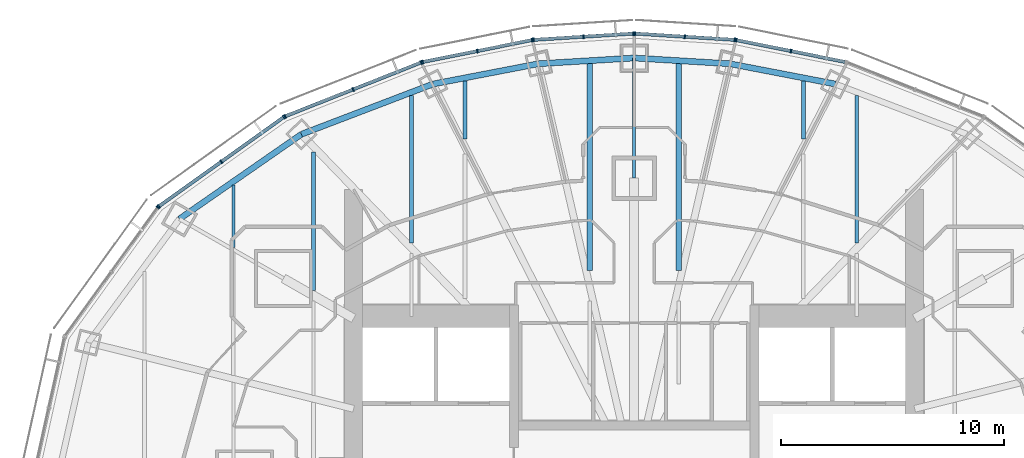
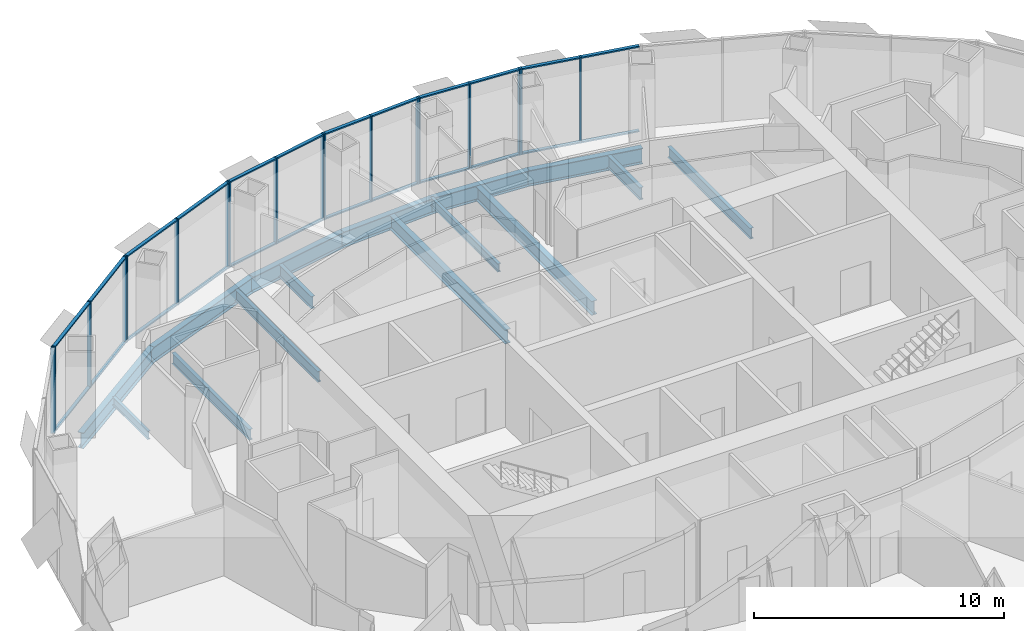
# One storey, part 8 of 18: 42 members, 15 beams, 7 elements without a shape of their own.
"""IFC4 building model written with IfcOpenShell, lengths in metres."""

from ifc_helpers import new_model, si_unit, direction, frame, origin, origin_2d, place, context, subcontext, project, spatial, rectangle, i_section, extrude, material, material_profile, profile_set, type_object, element, aggregate, save


model = new_model("IFC4")

# Units and contexts
model_context = context("Model", 3, precision=1e-05, world=origin(), true_north=direction((0.0, 1.0)))
body_context = subcontext(model_context, "Body", "Model", "MODEL_VIEW")
ifc_project = project(units=[si_unit("LENGTHUNIT", "METRE"), si_unit("AREAUNIT", "SQUARE_METRE"), si_unit("VOLUMEUNIT", "CUBIC_METRE"), si_unit("PLANEANGLEUNIT", "RADIAN"), si_unit("MASSUNIT", "GRAM", prefix="KILO")], contexts=[model_context])

# Site, building, storey
site_placement = place(None, origin())
site = spatial("IfcSite", under=ifc_project, at=site_placement, CompositionType="ELEMENT")
building_placement = place(site_placement, origin())
building = spatial("IfcBuilding", under=site, at=building_placement, Name="Lantaw Convention Tower", CompositionType="ELEMENT")
storey_placement = place(building_placement, frame((0.0, 0.0, 236.800048828125)))
storey = spatial("IfcBuildingStorey", under=building, at=storey_placement, Name="L55", CompositionType="ELEMENT", Elevation=236.800048828125)

# Beams
ifc_material_1 = material(Name="Steel ASTM A992", Category="steel")
ifc_material_profile_1 = material_profile(ifc_material_1, i_section(OverallWidth=0.2666015625, OverallDepth=0.76953125, WebThickness=0.015625, FlangeThickness=0.025390625, FilletRadius=0.0126953125, at=origin_2d()), Name="W30X132")
ifc_profile_set_1 = profile_set([ifc_material_profile_1], Name="Steel ASTM A992")
beam_type_1 = type_object("IfcBeamType", Name="Beam E W30X132", PredefinedType="SPANDREL", material=ifc_profile_set_1)
beam_1_placement = place(storey_placement, frame((9.03466796875, 17.7314453125, -0.534912109375), z_axis=(-0.981972091702, 0.189025953556, 0.0), x_axis=(-0.189025953556, -0.981972091702, 0.0)))
element("IfcBeam", 1, at=beam_1_placement, inside=storey, type_object=beam_type_1, Name="Edge beam 5", PredefinedType="SPANDREL", context=body_context, shape_type="SweptSolid", body=[
    extrude(i_section(OverallWidth=0.2666015625, OverallDepth=0.76953125, WebThickness=0.015625, FlangeThickness=0.025390625, FilletRadius=0.0126953125, at=origin_2d()), origin(), (0.0, 0.0, 1.0), 4.817626953125),
])
for number, where, z_axis, x_axis, name in (
    (2, (4.303955078125, 18.64208984375, -0.534912109375), (-0.998210730897, 0.059794119452, 0.0), (-0.059794119452, -0.998210730897, 0.0), "Edge beam 6"),
    (3, (0.0, 18.89990234375, -0.534912109375), (-0.998210730897, -0.059794119452, 0.0), (0.059794119452, -0.998210730897, 0.0), "Edge beam 7"),
):
    element("IfcBeam", number, at=place(storey_placement, frame(where, z_axis=z_axis, x_axis=x_axis)), inside=storey, type_object=beam_type_1, Name=name, PredefinedType="SPANDREL", context=body_context, shape_type="SweptSolid", body=[
        extrude(i_section(OverallWidth=0.2666015625, OverallDepth=0.76953125, WebThickness=0.015625, FlangeThickness=0.025390625, FilletRadius=0.0126953125, at=origin_2d()), origin(), (0.0, 0.0, 1.0), 4.311767578125),
    ])
beam_2_placement = place(storey_placement, frame((-4.303955078125, 18.64208984375, -0.534912109375), z_axis=(-0.981972091702, -0.189025953556, 0.0), x_axis=(0.189025953556, -0.981972091702, 0.0)))
element("IfcBeam", 4, at=beam_2_placement, inside=storey, type_object=beam_type_1, Name="Edge beam 8", PredefinedType="SPANDREL", context=body_context, shape_type="SweptSolid", body=[
    extrude(i_section(OverallWidth=0.2666015625, OverallDepth=0.76953125, WebThickness=0.015625, FlangeThickness=0.025390625, FilletRadius=0.0126953125, at=origin_2d()), origin(), (0.0, 0.0, 1.0), 4.817626953125),
])
beam_3_placement = place(storey_placement, frame((-9.03466796875, 17.7314453125, -0.534912109375), z_axis=(-0.934234988, -0.356658081637, 0.0), x_axis=(0.356658081637, -0.934234988, 0.0)))
element("IfcBeam", 5, at=beam_3_placement, inside=storey, type_object=beam_type_1, Name="Edge beam 9", PredefinedType="SPANDREL", context=body_context, shape_type="SweptSolid", body=[
    extrude(i_section(OverallWidth=0.2666015625, OverallDepth=0.76953125, WebThickness=0.015625, FlangeThickness=0.025390625, FilletRadius=0.0126953125, at=origin_2d()), origin(), (0.0, 0.0, 1.0), 6.32568359375),
])
beam_4_placement = place(storey_placement, frame((-14.9443359375, 15.475341796875, -0.534912109375), z_axis=(-0.82135329406, -0.570419815869, 0.0), x_axis=(0.570419815869, -0.82135329406, 0.0)))
element("IfcBeam", 6, at=beam_4_placement, inside=storey, type_object=beam_type_1, Name="Edge beam 10", PredefinedType="SPANDREL", context=body_context, shape_type="SweptSolid", body=[
    extrude(i_section(OverallWidth=0.2666015625, OverallDepth=0.76953125, WebThickness=0.015625, FlangeThickness=0.025390625, FilletRadius=0.0126953125, at=origin_2d()), origin(), (0.0, 0.0, 1.0), 6.67041015625),
])
ifc_material_profile_2 = material_profile(ifc_material_1, i_section(OverallWidth=0.140380859375, OverallDepth=0.40380859375, WebThickness=0.007080078125, FlangeThickness=0.01123046875, FilletRadius=0.01025390625, at=origin_2d()), Name="W16X31")
ifc_profile_set_2 = profile_set([ifc_material_profile_2], Name="Steel ASTM A992")
beam_type_2 = type_object("IfcBeamType", Name="Beam G W16X31", PredefinedType="BEAM", material=ifc_profile_set_2)
beam_5_placement = place(storey_placement, frame((0.0, 13.5, -0.35205078125), z_axis=(0.0, 1.0, 0.0), x_axis=(-1.0, 0.0, 0.0)))
element("IfcBeam", 7, at=beam_5_placement, inside=storey, type_object=beam_type_2, Name="Floor girder on ray 7", PredefinedType="BEAM", context=body_context, shape_type="SweptSolid", body=[
    extrude(i_section(OverallWidth=0.140380859375, OverallDepth=0.40380859375, WebThickness=0.007080078125, FlangeThickness=0.01123046875, FilletRadius=0.01025390625, at=origin_2d()), origin(), (0.0, 0.0, 1.0), 5.39990234375),
])
ifc_material_profile_3 = material_profile(ifc_material_1, i_section(OverallWidth=0.140380859375, OverallDepth=0.40380859375, WebThickness=0.007080078125, FlangeThickness=0.01123046875, FilletRadius=0.01025390625, at=origin_2d()), Name="W16X31")
ifc_profile_set_3 = profile_set([ifc_material_profile_3], Name="Steel ASTM A992")
beam_type_3 = type_object("IfcBeamType", Name="Beam J W16X31", PredefinedType="JOIST", material=ifc_profile_set_3)
beam_6_placement = place(storey_placement, frame((-18.0, 10.380859375, -0.35205078125), z_axis=(0.0, 1.0, 0.0), x_axis=(-1.0, 0.0, 0.0)))
element("IfcBeam", 8, at=beam_6_placement, inside=storey, type_object=beam_type_3, Name="Floor joist", PredefinedType="JOIST", context=body_context, shape_type="SweptSolid", body=[
    extrude(i_section(OverallWidth=0.140380859375, OverallDepth=0.40380859375, WebThickness=0.007080078125, FlangeThickness=0.01123046875, FilletRadius=0.01025390625, at=origin_2d()), origin(), (0.0, 0.0, 1.0), 2.81005859375),
])
ifc_material_profile_4 = material_profile(ifc_material_1, i_section(OverallWidth=0.1650390625, OverallDepth=0.52587890625, WebThickness=0.0087890625, FlangeThickness=0.011474609375, FilletRadius=0.0126953125, at=origin_2d()), Name="W21X44")
ifc_profile_set_4 = profile_set([ifc_material_profile_4], Name="Steel ASTM A992")
beam_type_4 = type_object("IfcBeamType", Name="Beam J W21X44", PredefinedType="JOIST", material=ifc_profile_set_4)
beam_7_placement = place(storey_placement, frame((-14.39990234375, 8.461181640625, -0.412841796875), z_axis=(0.0, 1.0, 0.0), x_axis=(-1.0, 0.0, 0.0)))
element("IfcBeam", 9, at=beam_7_placement, inside=storey, type_object=beam_type_4, Name="Floor joist", PredefinedType="JOIST", context=body_context, shape_type="SweptSolid", body=[
    extrude(i_section(OverallWidth=0.1650390625, OverallDepth=0.52587890625, WebThickness=0.0087890625, FlangeThickness=0.011474609375, FilletRadius=0.0126953125, at=origin_2d()), origin(), (0.0, 0.0, 1.0), 6.214599609375),
])
for number, where, z_axis, x_axis, name in (
    (10, (-10.0, 10.591064453125, -0.412841796875), (0.0, 1.0, 0.0), (-1.0, 0.0, 0.0), "Floor joist"),
    (11, (10.0, 10.591064453125, -0.412841796875), (0.0, 1.0, 0.0), (-1.0, 0.0, 0.0), "Floor joist"),
):
    element("IfcBeam", number, at=place(storey_placement, frame(where, z_axis=z_axis, x_axis=x_axis)), inside=storey, type_object=beam_type_4, Name=name, PredefinedType="JOIST", context=body_context, shape_type="SweptSolid", body=[
        extrude(i_section(OverallWidth=0.1650390625, OverallDepth=0.52587890625, WebThickness=0.0087890625, FlangeThickness=0.011474609375, FilletRadius=0.0126953125, at=origin_2d()), origin(), (0.0, 0.0, 1.0), 6.629150390625),
    ])
ifc_material_profile_5 = material_profile(ifc_material_1, i_section(OverallWidth=0.177978515625, OverallDepth=0.599365234375, WebThickness=0.010009765625, FlangeThickness=0.012939453125, FilletRadius=0.012939453125, at=origin_2d()), Name="W24X55")
ifc_profile_set_5 = profile_set([ifc_material_profile_5], Name="Steel ASTM A992")
beam_type_5 = type_object("IfcBeamType", Name="Beam J W24X55", PredefinedType="JOIST", material=ifc_profile_set_5)
for number, where, z_axis, x_axis, name in (
    (12, (-7.60009765625, 15.25439453125, -0.44970703125), (0.0, 1.0, 0.0), (-1.0, 0.0, 0.0), "Floor joist"),
    (13, (7.60009765625, 15.25439453125, -0.44970703125), (0.0, 1.0, 0.0), (-1.0, 0.0, 0.0), "Floor joist"),
):
    element("IfcBeam", number, at=place(storey_placement, frame(where, z_axis=z_axis, x_axis=x_axis)), inside=storey, type_object=beam_type_5, Name=name, PredefinedType="JOIST", context=body_context, shape_type="SweptSolid", body=[
        extrude(i_section(OverallWidth=0.177978515625, OverallDepth=0.599365234375, WebThickness=0.010009765625, FlangeThickness=0.012939453125, FilletRadius=0.012939453125, at=origin_2d()), origin(), (0.0, 0.0, 1.0), 2.617431640625),
    ])
ifc_material_profile_6 = material_profile(ifc_material_1, i_section(OverallWidth=0.25390625, OverallDepth=0.683349609375, WebThickness=0.012451171875, FlangeThickness=0.01904296875, FilletRadius=0.01513671875, at=origin_2d()), Name="W27X94")
ifc_profile_set_6 = profile_set([ifc_material_profile_6], Name="Steel ASTM A992")
beam_type_6 = type_object("IfcBeamType", Name="Beam J W27X94", PredefinedType="JOIST", material=ifc_profile_set_6)
for number, where, z_axis, x_axis, name in (
    (14, (-2.0, 9.34619140625, -0.49169921875), (0.0, 1.0, 0.0), (-1.0, 0.0, 0.0), "Floor joist"),
    (15, (2.0, 9.34619140625, -0.49169921875), (0.0, 1.0, 0.0), (-1.0, 0.0, 0.0), "Floor joist"),
):
    element("IfcBeam", number, at=place(storey_placement, frame(where, z_axis=z_axis, x_axis=x_axis)), inside=storey, type_object=beam_type_6, Name=name, PredefinedType="JOIST", context=body_context, shape_type="SweptSolid", body=[
        extrude(i_section(OverallWidth=0.25390625, OverallDepth=0.683349609375, WebThickness=0.012451171875, FlangeThickness=0.01904296875, FilletRadius=0.01513671875, at=origin_2d()), origin(), (0.0, 0.0, 1.0), 9.30029296875),
    ])

# Curtain wall, members
ifc_material_2 = material(Name="Aluminium framed curtain wall", Category="aluminium")
curtain_wall_type = type_object("IfcCurtainWallType", Name="Office curtain wall high rise, pale aluminium", PredefinedType="USERDEFINED", material=ifc_material_2)
curtain_wall_1_placement = place(storey_placement, origin())
curtain_wall_1 = element("IfcCurtainWall", 16, at=curtain_wall_1_placement, inside=storey, type_object=curtain_wall_type, Name="Office curtain wall high rise, pale aluminium L55", ObjectType="UNITISED CURTAIN WALL", PredefinedType="USERDEFINED")
ifc_material_3 = material(Name="Aluminium 6063-T6", Category="aluminium")
ifc_material_profile_7 = material_profile(ifc_material_3, rectangle(XDim=0.179931640625, YDim=0.06494140625, at=origin_2d()), Name="CW-O2 mullion 65x180")
ifc_profile_set_7 = profile_set([ifc_material_profile_7], Name="Aluminium 6063-T6")
member_type_1 = type_object("IfcMemberType", Name="CW-O2 mullion 65x180", PredefinedType="MULLION", material=ifc_profile_set_7)
member_1_placement = place(storey_placement, frame((7.042724609375, 19.212646484375, -0.150146484375), z_axis=(0.0, 0.0, 1.0), x_axis=(-0.197183095987, -0.980366679695, 0.0)))
member_1 = element("IfcMember", 17, at=member_1_placement, type_object=member_type_1, Name="CW-O2 mullion 2", PredefinedType="MULLION", context=body_context, shape_type="SweptSolid", body=[
    extrude(rectangle(XDim=0.179931640625, YDim=0.06494140625, at=origin_2d()), origin(), (0.0, 0.0, 1.0), 4.2001953125),
])
member_2_placement = place(storey_placement, frame((4.583251953125, 19.70751953125, -0.150146484375), z_axis=(0.0, 0.0, 1.0), x_axis=(-0.197183095987, -0.980366679695, 0.0)))
member_2 = element("IfcMember", 18, at=member_2_placement, type_object=member_type_1, Name="CW-O2 mullion 3", PredefinedType="MULLION", context=body_context, shape_type="SweptSolid", body=[
    extrude(rectangle(XDim=0.179931640625, YDim=0.06494140625, at=origin_2d()), origin(), (0.0, 0.0, 1.0), 4.2001953125),
])

curtain_wall_2_placement = place(storey_placement, origin())
curtain_wall_2 = element("IfcCurtainWall", 19, at=curtain_wall_2_placement, inside=storey, type_object=curtain_wall_type, Name="Office curtain wall high rise, pale aluminium L55", ObjectType="UNITISED CURTAIN WALL", PredefinedType="USERDEFINED")
member_3_placement = place(storey_placement, frame((4.518798828125, 19.7158203125, -0.150146484375), z_axis=(0.0, 0.0, 1.0), x_axis=(-0.062757983884, -0.998028774865, 0.0)))
member_3 = element("IfcMember", 20, at=member_3_placement, type_object=member_type_1, Name="CW-O2 mullion 1", PredefinedType="MULLION", context=body_context, shape_type="SweptSolid", body=[
    extrude(rectangle(XDim=0.179931640625, YDim=0.06494140625, at=origin_2d()), origin(), (0.0, 0.0, 1.0), 4.2001953125),
])
member_4_placement = place(storey_placement, frame((2.275634765625, 19.85693359375, -0.150146484375), z_axis=(0.0, 0.0, 1.0), x_axis=(-0.062757983884, -0.998028774865, 0.0)))
member_4 = element("IfcMember", 21, at=member_4_placement, type_object=member_type_1, Name="CW-O2 mullion 2", PredefinedType="MULLION", context=body_context, shape_type="SweptSolid", body=[
    extrude(rectangle(XDim=0.179931640625, YDim=0.06494140625, at=origin_2d()), origin(), (0.0, 0.0, 1.0), 4.2001953125),
])
member_5_placement = place(storey_placement, frame((0.032470703125, 19.998046875, -0.150146484375), z_axis=(0.0, 0.0, 1.0), x_axis=(-0.062757983884, -0.998028774865, 0.0)))
member_5 = element("IfcMember", 22, at=member_5_placement, type_object=member_type_1, Name="CW-O2 mullion 3", PredefinedType="MULLION", context=body_context, shape_type="SweptSolid", body=[
    extrude(rectangle(XDim=0.179931640625, YDim=0.06494140625, at=origin_2d()), origin(), (0.0, 0.0, 1.0), 4.2001953125),
])

curtain_wall_3_placement = place(storey_placement, origin())
curtain_wall_3 = element("IfcCurtainWall", 23, at=curtain_wall_3_placement, inside=storey, type_object=curtain_wall_type, Name="Office curtain wall high rise, pale aluminium L55", ObjectType="UNITISED CURTAIN WALL", PredefinedType="USERDEFINED")
member_6_placement = place(storey_placement, frame((-0.032470703125, 19.998046875, -0.150146484375), z_axis=(0.0, 0.0, 1.0), x_axis=(0.062757983884, -0.998028774865, 0.0)))
member_6 = element("IfcMember", 24, at=member_6_placement, type_object=member_type_1, Name="CW-O2 mullion 1", PredefinedType="MULLION", context=body_context, shape_type="SweptSolid", body=[
    extrude(rectangle(XDim=0.179931640625, YDim=0.06494140625, at=origin_2d()), origin(), (0.0, 0.0, 1.0), 4.2001953125),
])
member_7_placement = place(storey_placement, frame((-2.275634765625, 19.85693359375, -0.150146484375), z_axis=(0.0, 0.0, 1.0), x_axis=(0.062757983884, -0.998028774865, 0.0)))
member_7 = element("IfcMember", 25, at=member_7_placement, type_object=member_type_1, Name="CW-O2 mullion 2", PredefinedType="MULLION", context=body_context, shape_type="SweptSolid", body=[
    extrude(rectangle(XDim=0.179931640625, YDim=0.06494140625, at=origin_2d()), origin(), (0.0, 0.0, 1.0), 4.2001953125),
])
member_8_placement = place(storey_placement, frame((-4.518798828125, 19.7158203125, -0.150146484375), z_axis=(0.0, 0.0, 1.0), x_axis=(0.062757983884, -0.998028774865, 0.0)))
member_8 = element("IfcMember", 26, at=member_8_placement, type_object=member_type_1, Name="CW-O2 mullion 3", PredefinedType="MULLION", context=body_context, shape_type="SweptSolid", body=[
    extrude(rectangle(XDim=0.179931640625, YDim=0.06494140625, at=origin_2d()), origin(), (0.0, 0.0, 1.0), 4.2001953125),
])

curtain_wall_4_placement = place(storey_placement, origin())
curtain_wall_4 = element("IfcCurtainWall", 27, at=curtain_wall_4_placement, inside=storey, type_object=curtain_wall_type, Name="Office curtain wall high rise, pale aluminium L55", ObjectType="UNITISED CURTAIN WALL", PredefinedType="USERDEFINED")
member_9_placement = place(storey_placement, frame((-4.583251953125, 19.70751953125, -0.150146484375), z_axis=(0.0, 0.0, 1.0), x_axis=(0.197183095987, -0.980366679695, 0.0)))
member_9 = element("IfcMember", 28, at=member_9_placement, type_object=member_type_1, Name="CW-O2 mullion 1", PredefinedType="MULLION", context=body_context, shape_type="SweptSolid", body=[
    extrude(rectangle(XDim=0.179931640625, YDim=0.06494140625, at=origin_2d()), origin(), (0.0, 0.0, 1.0), 4.2001953125),
])
member_10_placement = place(storey_placement, frame((-7.042724609375, 19.212646484375, -0.150146484375), z_axis=(0.0, 0.0, 1.0), x_axis=(0.197183095987, -0.980366679695, 0.0)))
member_10 = element("IfcMember", 29, at=member_10_placement, type_object=member_type_1, Name="CW-O2 mullion 2", PredefinedType="MULLION", context=body_context, shape_type="SweptSolid", body=[
    extrude(rectangle(XDim=0.179931640625, YDim=0.06494140625, at=origin_2d()), origin(), (0.0, 0.0, 1.0), 4.2001953125),
])
member_11_placement = place(storey_placement, frame((-9.502197265625, 18.718017578125, -0.150146484375), z_axis=(0.0, 0.0, 1.0), x_axis=(0.197183095987, -0.980366679695, 0.0)))
member_11 = element("IfcMember", 30, at=member_11_placement, type_object=member_type_1, Name="CW-O2 mullion 3", PredefinedType="MULLION", context=body_context, shape_type="SweptSolid", body=[
    extrude(rectangle(XDim=0.179931640625, YDim=0.06494140625, at=origin_2d()), origin(), (0.0, 0.0, 1.0), 4.2001953125),
])

curtain_wall_5_placement = place(storey_placement, origin())
curtain_wall_5 = element("IfcCurtainWall", 31, at=curtain_wall_5_placement, inside=storey, type_object=curtain_wall_type, Name="Office curtain wall high rise, pale aluminium L55", ObjectType="UNITISED CURTAIN WALL", PredefinedType="USERDEFINED")
member_12_placement = place(storey_placement, frame((-9.564208984375, 18.69970703125, -0.150146484375), z_axis=(0.0, 0.0, 1.0), x_axis=(0.368162315252, -0.929761533743, 0.0)))
member_12 = element("IfcMember", 32, at=member_12_placement, type_object=member_type_1, Name="CW-O2 mullion 1", PredefinedType="MULLION", context=body_context, shape_type="SweptSolid", body=[
    extrude(rectangle(XDim=0.179931640625, YDim=0.06494140625, at=origin_2d()), origin(), (0.0, 0.0, 1.0), 4.2001953125),
])
member_13_placement = place(storey_placement, frame((-12.621337890625, 17.4892578125, -0.150146484375), z_axis=(0.0, 0.0, 1.0), x_axis=(0.368162315252, -0.929761533743, 0.0)))
member_13 = element("IfcMember", 33, at=member_13_placement, type_object=member_type_1, Name="CW-O2 mullion 2", PredefinedType="MULLION", context=body_context, shape_type="SweptSolid", body=[
    extrude(rectangle(XDim=0.179931640625, YDim=0.06494140625, at=origin_2d()), origin(), (0.0, 0.0, 1.0), 4.2001953125),
])
member_14_placement = place(storey_placement, frame((-15.67822265625, 16.278564453125, -0.150146484375), z_axis=(0.0, 0.0, 1.0), x_axis=(0.368162315252, -0.929761533743, 0.0)))
member_14 = element("IfcMember", 34, at=member_14_placement, type_object=member_type_1, Name="CW-O2 mullion 3", PredefinedType="MULLION", context=body_context, shape_type="SweptSolid", body=[
    extrude(rectangle(XDim=0.179931640625, YDim=0.06494140625, at=origin_2d()), origin(), (0.0, 0.0, 1.0), 4.2001953125),
])

curtain_wall_6_placement = place(storey_placement, origin())
curtain_wall_6 = element("IfcCurtainWall", 35, at=curtain_wall_6_placement, inside=storey, type_object=curtain_wall_type, Name="Office curtain wall high rise, pale aluminium L55", ObjectType="UNITISED CURTAIN WALL", PredefinedType="USERDEFINED")
member_15_placement = place(storey_placement, frame((-15.73486328125, 16.247802734375, -0.150146484375), z_axis=(0.0, 0.0, 1.0), x_axis=(0.581323487281, -0.813672540482, 0.0)))
member_15 = element("IfcMember", 36, at=member_15_placement, type_object=member_type_1, Name="CW-O2 mullion 1", PredefinedType="MULLION", context=body_context, shape_type="SweptSolid", body=[
    extrude(rectangle(XDim=0.179931640625, YDim=0.06494140625, at=origin_2d()), origin(), (0.0, 0.0, 1.0), 4.2001953125),
])
member_16_placement = place(storey_placement, frame((-18.543212890625, 14.241455078125, -0.150146484375), z_axis=(0.0, 0.0, 1.0), x_axis=(0.581323487281, -0.813672540482, 0.0)))
member_16 = element("IfcMember", 37, at=member_16_placement, type_object=member_type_1, Name="CW-O2 mullion 2", PredefinedType="MULLION", context=body_context, shape_type="SweptSolid", body=[
    extrude(rectangle(XDim=0.179931640625, YDim=0.06494140625, at=origin_2d()), origin(), (0.0, 0.0, 1.0), 4.2001953125),
])
member_17_placement = place(storey_placement, frame((-21.3515625, 12.23486328125, -0.150146484375), z_axis=(0.0, 0.0, 1.0), x_axis=(0.581323487281, -0.813672540482, 0.0)))
member_17 = element("IfcMember", 38, at=member_17_placement, type_object=member_type_1, Name="CW-O2 mullion 3", PredefinedType="MULLION", context=body_context, shape_type="SweptSolid", body=[
    extrude(rectangle(XDim=0.179931640625, YDim=0.06494140625, at=origin_2d()), origin(), (0.0, 0.0, 1.0), 4.2001953125),
])

# Curtain wall, member
curtain_wall_7_placement = place(storey_placement, origin())
curtain_wall_7 = element("IfcCurtainWall", 39, at=curtain_wall_7_placement, inside=storey, type_object=curtain_wall_type, Name="Office curtain wall high rise, pale aluminium L55", ObjectType="UNITISED CURTAIN WALL", PredefinedType="USERDEFINED")
member_18_placement = place(storey_placement, frame((-21.397216796875, 12.189697265625, -0.150146484375), z_axis=(0.0, 0.0, 1.0), x_axis=(0.810919559405, -0.585157643865, 0.0)))
member_18 = element("IfcMember", 40, at=member_18_placement, type_object=member_type_1, Name="CW-O2 mullion 1", PredefinedType="MULLION", context=body_context, shape_type="SweptSolid", body=[
    extrude(rectangle(XDim=0.179931640625, YDim=0.06494140625, at=origin_2d()), origin(), (0.0, 0.0, 1.0), 4.2001953125),
])
aggregate(curtain_wall_7, [member_18])

# Member
ifc_material_profile_8 = material_profile(ifc_material_3, rectangle(XDim=0.14990234375, YDim=0.06494140625, at=origin_2d()), Name="CW-O2 transom 65x150")
ifc_profile_set_8 = profile_set([ifc_material_profile_8], Name="Aluminium 6063-T6")
member_type_2 = type_object("IfcMemberType", Name="CW-O2 transom 65x150", PredefinedType="USERDEFINED", material=ifc_profile_set_8)
member_19_placement = place(storey_placement, frame((9.47021484375, 18.724365234375, -0.117431640625), z_axis=(-0.98036104319, 0.197211117829, 0.0), x_axis=(-0.197211117829, -0.98036104319, 0.0)))
member_19 = element("IfcMember", 41, at=member_19_placement, type_object=member_type_2, Name="CW-O2 transom 1.1", ObjectType="TRANSOM", PredefinedType="USERDEFINED", context=body_context, shape_type="SweptSolid", body=[
    extrude(rectangle(XDim=0.14990234375, YDim=0.06494140625, at=origin_2d()), origin(), (0.0, 0.0, 1.0), 2.44384765625),
])

member_20_placement = place(storey_placement, frame((9.47021484375, 18.724365234375, 4.017333984375), z_axis=(-0.98036104319, 0.197211117829, 0.0), x_axis=(-0.197211117829, -0.98036104319, 0.0)))
member_20 = element("IfcMember", 42, at=member_20_placement, type_object=member_type_2, Name="CW-O2 transom 1.2", ObjectType="TRANSOM", PredefinedType="USERDEFINED", context=body_context, shape_type="SweptSolid", body=[
    extrude(rectangle(XDim=0.14990234375, YDim=0.06494140625, at=origin_2d()), origin(), (0.0, 0.0, 1.0), 2.44384765625),
])

member_21_placement = place(storey_placement, frame((7.0107421875, 19.21923828125, -0.117431640625), z_axis=(-0.980380354178, 0.197115096178, 0.0), x_axis=(-0.197115096178, -0.980380354178, 0.0)))
member_21 = element("IfcMember", 43, at=member_21_placement, type_object=member_type_2, Name="CW-O2 transom 2.1", ObjectType="TRANSOM", PredefinedType="USERDEFINED", context=body_context, shape_type="SweptSolid", body=[
    extrude(rectangle(XDim=0.14990234375, YDim=0.06494140625, at=origin_2d()), origin(), (0.0, 0.0, 1.0), 2.443603515625),
])

member_22_placement = place(storey_placement, frame((7.0107421875, 19.21923828125, 4.017333984375), z_axis=(-0.980380354178, 0.197115096178, 0.0), x_axis=(-0.197115096178, -0.980380354178, 0.0)))
member_22 = element("IfcMember", 44, at=member_22_placement, type_object=member_type_2, Name="CW-O2 transom 2.2", ObjectType="TRANSOM", PredefinedType="USERDEFINED", context=body_context, shape_type="SweptSolid", body=[
    extrude(rectangle(XDim=0.14990234375, YDim=0.06494140625, at=origin_2d()), origin(), (0.0, 0.0, 1.0), 2.443603515625),
])

aggregate(curtain_wall_1, [member_1, member_2, member_19, member_20, member_21, member_22])

member_23_placement = place(storey_placement, frame((4.486328125, 19.7177734375, -0.117431640625), z_axis=(-0.998021991509, 0.062865765437, 0.0), x_axis=(-0.062865765437, -0.998021991509, 0.0)))
member_23 = element("IfcMember", 45, at=member_23_placement, type_object=member_type_2, Name="CW-O2 transom 1.1", ObjectType="TRANSOM", PredefinedType="USERDEFINED", context=body_context, shape_type="SweptSolid", body=[
    extrude(rectangle(XDim=0.14990234375, YDim=0.06494140625, at=origin_2d()), origin(), (0.0, 0.0, 1.0), 2.1826171875),
])

member_24_placement = place(storey_placement, frame((4.486328125, 19.7177734375, 4.017333984375), z_axis=(-0.998021991509, 0.062865765437, 0.0), x_axis=(-0.062865765437, -0.998021991509, 0.0)))
member_24 = element("IfcMember", 46, at=member_24_placement, type_object=member_type_2, Name="CW-O2 transom 1.2", ObjectType="TRANSOM", PredefinedType="USERDEFINED", context=body_context, shape_type="SweptSolid", body=[
    extrude(rectangle(XDim=0.14990234375, YDim=0.06494140625, at=origin_2d()), origin(), (0.0, 0.0, 1.0), 2.1826171875),
])

member_25_placement = place(storey_placement, frame((2.2431640625, 19.85888671875, -0.117431640625), z_axis=(-0.998029003644, 0.062754345555, 0.0), x_axis=(-0.062754345555, -0.998029003644, 0.0)))
member_25 = element("IfcMember", 47, at=member_25_placement, type_object=member_type_2, Name="CW-O2 transom 2.1", ObjectType="TRANSOM", PredefinedType="USERDEFINED", context=body_context, shape_type="SweptSolid", body=[
    extrude(rectangle(XDim=0.14990234375, YDim=0.06494140625, at=origin_2d()), origin(), (0.0, 0.0, 1.0), 2.1826171875),
])

member_26_placement = place(storey_placement, frame((2.2431640625, 19.85888671875, 4.017333984375), z_axis=(-0.998029003644, 0.062754345555, 0.0), x_axis=(-0.062754345555, -0.998029003644, 0.0)))
member_26 = element("IfcMember", 48, at=member_26_placement, type_object=member_type_2, Name="CW-O2 transom 2.2", ObjectType="TRANSOM", PredefinedType="USERDEFINED", context=body_context, shape_type="SweptSolid", body=[
    extrude(rectangle(XDim=0.14990234375, YDim=0.06494140625, at=origin_2d()), origin(), (0.0, 0.0, 1.0), 2.1826171875),
])

aggregate(curtain_wall_2, [member_3, member_4, member_5, member_23, member_24, member_25, member_26])

member_27_placement = place(storey_placement, frame((-0.06494140625, 19.995849609375, -0.117431640625), z_axis=(-0.998029003644, -0.062754345555, 0.0), x_axis=(0.062754345555, -0.998029003644, 0.0)))
member_27 = element("IfcMember", 49, at=member_27_placement, type_object=member_type_2, Name="CW-O2 transom 1.1", ObjectType="TRANSOM", PredefinedType="USERDEFINED", context=body_context, shape_type="SweptSolid", body=[
    extrude(rectangle(XDim=0.14990234375, YDim=0.06494140625, at=origin_2d()), origin(), (0.0, 0.0, 1.0), 2.1826171875),
])

member_28_placement = place(storey_placement, frame((-0.06494140625, 19.995849609375, 4.017333984375), z_axis=(-0.998029003644, -0.062754345555, 0.0), x_axis=(0.062754345555, -0.998029003644, 0.0)))
member_28 = element("IfcMember", 50, at=member_28_placement, type_object=member_type_2, Name="CW-O2 transom 1.2", ObjectType="TRANSOM", PredefinedType="USERDEFINED", context=body_context, shape_type="SweptSolid", body=[
    extrude(rectangle(XDim=0.14990234375, YDim=0.06494140625, at=origin_2d()), origin(), (0.0, 0.0, 1.0), 2.1826171875),
])

member_29_placement = place(storey_placement, frame((-2.30810546875, 19.85498046875, -0.117431640625), z_axis=(-0.998021991509, -0.062865765437, 0.0), x_axis=(0.062865765437, -0.998021991509, 0.0)))
member_29 = element("IfcMember", 51, at=member_29_placement, type_object=member_type_2, Name="CW-O2 transom 2.1", ObjectType="TRANSOM", PredefinedType="USERDEFINED", context=body_context, shape_type="SweptSolid", body=[
    extrude(rectangle(XDim=0.14990234375, YDim=0.06494140625, at=origin_2d()), origin(), (0.0, 0.0, 1.0), 2.1826171875),
])

member_30_placement = place(storey_placement, frame((-2.30810546875, 19.85498046875, 4.017333984375), z_axis=(-0.998021991509, -0.062865765437, 0.0), x_axis=(0.062865765437, -0.998021991509, 0.0)))
member_30 = element("IfcMember", 52, at=member_30_placement, type_object=member_type_2, Name="CW-O2 transom 2.2", ObjectType="TRANSOM", PredefinedType="USERDEFINED", context=body_context, shape_type="SweptSolid", body=[
    extrude(rectangle(XDim=0.14990234375, YDim=0.06494140625, at=origin_2d()), origin(), (0.0, 0.0, 1.0), 2.1826171875),
])

aggregate(curtain_wall_3, [member_6, member_7, member_8, member_27, member_28, member_29, member_30])

member_31_placement = place(storey_placement, frame((-4.614990234375, 19.700927734375, -0.117431640625), z_axis=(-0.980380354178, -0.197115096178, 0.0), x_axis=(0.197115096178, -0.980380354178, 0.0)))
member_31 = element("IfcMember", 53, at=member_31_placement, type_object=member_type_2, Name="CW-O2 transom 1.1", ObjectType="TRANSOM", PredefinedType="USERDEFINED", context=body_context, shape_type="SweptSolid", body=[
    extrude(rectangle(XDim=0.14990234375, YDim=0.06494140625, at=origin_2d()), origin(), (0.0, 0.0, 1.0), 2.443603515625),
])

member_32_placement = place(storey_placement, frame((-4.614990234375, 19.700927734375, 4.017333984375), z_axis=(-0.980380354178, -0.197115096178, 0.0), x_axis=(0.197115096178, -0.980380354178, 0.0)))
member_32 = element("IfcMember", 54, at=member_32_placement, type_object=member_type_2, Name="CW-O2 transom 1.2", ObjectType="TRANSOM", PredefinedType="USERDEFINED", context=body_context, shape_type="SweptSolid", body=[
    extrude(rectangle(XDim=0.14990234375, YDim=0.06494140625, at=origin_2d()), origin(), (0.0, 0.0, 1.0), 2.443603515625),
])

member_33_placement = place(storey_placement, frame((-7.074462890625, 19.206298828125, -0.117431640625), z_axis=(-0.98036104319, -0.197211117829, 0.0), x_axis=(0.197211117829, -0.98036104319, 0.0)))
member_33 = element("IfcMember", 55, at=member_33_placement, type_object=member_type_2, Name="CW-O2 transom 2.1", ObjectType="TRANSOM", PredefinedType="USERDEFINED", context=body_context, shape_type="SweptSolid", body=[
    extrude(rectangle(XDim=0.14990234375, YDim=0.06494140625, at=origin_2d()), origin(), (0.0, 0.0, 1.0), 2.44384765625),
])

member_34_placement = place(storey_placement, frame((-7.074462890625, 19.206298828125, 4.017333984375), z_axis=(-0.98036104319, -0.197211117829, 0.0), x_axis=(0.197211117829, -0.98036104319, 0.0)))
member_34 = element("IfcMember", 56, at=member_34_placement, type_object=member_type_2, Name="CW-O2 transom 2.2", ObjectType="TRANSOM", PredefinedType="USERDEFINED", context=body_context, shape_type="SweptSolid", body=[
    extrude(rectangle(XDim=0.14990234375, YDim=0.06494140625, at=origin_2d()), origin(), (0.0, 0.0, 1.0), 2.44384765625),
])

aggregate(curtain_wall_4, [member_9, member_10, member_11, member_31, member_32, member_33, member_34])

member_35_placement = place(storey_placement, frame((-9.594482421875, 18.687744140625, -0.117431640625), z_axis=(-0.929766642946, -0.368149412149, 0.0), x_axis=(0.368149412149, -0.929766642946, 0.0)))
member_35 = element("IfcMember", 57, at=member_35_placement, type_object=member_type_2, Name="CW-O2 transom 1.1", ObjectType="TRANSOM", PredefinedType="USERDEFINED", context=body_context, shape_type="SweptSolid", body=[
    extrude(rectangle(XDim=0.14990234375, YDim=0.06494140625, at=origin_2d()), origin(), (0.0, 0.0, 1.0), 3.222900390625),
])

member_36_placement = place(storey_placement, frame((-9.594482421875, 18.687744140625, 4.017333984375), z_axis=(-0.929766642946, -0.368149412149, 0.0), x_axis=(0.368149412149, -0.929766642946, 0.0)))
member_36 = element("IfcMember", 58, at=member_36_placement, type_object=member_type_2, Name="CW-O2 transom 1.2", ObjectType="TRANSOM", PredefinedType="USERDEFINED", context=body_context, shape_type="SweptSolid", body=[
    extrude(rectangle(XDim=0.14990234375, YDim=0.06494140625, at=origin_2d()), origin(), (0.0, 0.0, 1.0), 3.222900390625),
])

member_37_placement = place(storey_placement, frame((-12.651611328125, 17.477294921875, -0.117431640625), z_axis=(-0.929740712354, -0.368214893495, 0.0), x_axis=(0.368214893495, -0.929740712354, 0.0)))
member_37 = element("IfcMember", 59, at=member_37_placement, type_object=member_type_2, Name="CW-O2 transom 2.1", ObjectType="TRANSOM", PredefinedType="USERDEFINED", context=body_context, shape_type="SweptSolid", body=[
    extrude(rectangle(XDim=0.14990234375, YDim=0.06494140625, at=origin_2d()), origin(), (0.0, 0.0, 1.0), 3.22314453125),
])

member_38_placement = place(storey_placement, frame((-12.651611328125, 17.477294921875, 4.017333984375), z_axis=(-0.929740712354, -0.368214893495, 0.0), x_axis=(0.368214893495, -0.929740712354, 0.0)))
member_38 = element("IfcMember", 60, at=member_38_placement, type_object=member_type_2, Name="CW-O2 transom 2.2", ObjectType="TRANSOM", PredefinedType="USERDEFINED", context=body_context, shape_type="SweptSolid", body=[
    extrude(rectangle(XDim=0.14990234375, YDim=0.06494140625, at=origin_2d()), origin(), (0.0, 0.0, 1.0), 3.22314453125),
])

aggregate(curtain_wall_5, [member_12, member_13, member_14, member_35, member_36, member_37, member_38])

member_39_placement = place(storey_placement, frame((-15.761474609375, 16.22900390625, -0.117431640625), z_axis=(-0.813645780821, -0.581360940683, 0.0), x_axis=(0.581360940683, -0.813645780821, 0.0)))
member_39 = element("IfcMember", 61, at=member_39_placement, type_object=member_type_2, Name="CW-O2 transom 1.1", ObjectType="TRANSOM", PredefinedType="USERDEFINED", context=body_context, shape_type="SweptSolid", body=[
    extrude(rectangle(XDim=0.14990234375, YDim=0.06494140625, at=origin_2d()), origin(), (0.0, 0.0, 1.0), 3.386474609375),
])

member_40_placement = place(storey_placement, frame((-15.761474609375, 16.22900390625, 4.017333984375), z_axis=(-0.813645780821, -0.581360940683, 0.0), x_axis=(0.581360940683, -0.813645780821, 0.0)))
member_40 = element("IfcMember", 62, at=member_40_placement, type_object=member_type_2, Name="CW-O2 transom 1.2", ObjectType="TRANSOM", PredefinedType="USERDEFINED", context=body_context, shape_type="SweptSolid", body=[
    extrude(rectangle(XDim=0.14990234375, YDim=0.06494140625, at=origin_2d()), origin(), (0.0, 0.0, 1.0), 3.386474609375),
])

member_41_placement = place(storey_placement, frame((-18.56982421875, 14.222412109375, -0.117431640625), z_axis=(-0.813679882592, -0.581313210468, 0.0), x_axis=(0.581313210468, -0.813679882592, 0.0)))
member_41 = element("IfcMember", 63, at=member_41_placement, type_object=member_type_2, Name="CW-O2 transom 2.1", ObjectType="TRANSOM", PredefinedType="USERDEFINED", context=body_context, shape_type="SweptSolid", body=[
    extrude(rectangle(XDim=0.14990234375, YDim=0.06494140625, at=origin_2d()), origin(), (0.0, 0.0, 1.0), 3.38623046875),
])

member_42_placement = place(storey_placement, frame((-18.56982421875, 14.222412109375, 4.017333984375), z_axis=(-0.813679882592, -0.581313210468, 0.0), x_axis=(0.581313210468, -0.813679882592, 0.0)))
member_42 = element("IfcMember", 64, at=member_42_placement, type_object=member_type_2, Name="CW-O2 transom 2.2", ObjectType="TRANSOM", PredefinedType="USERDEFINED", context=body_context, shape_type="SweptSolid", body=[
    extrude(rectangle(XDim=0.14990234375, YDim=0.06494140625, at=origin_2d()), origin(), (0.0, 0.0, 1.0), 3.38623046875),
])

aggregate(curtain_wall_6, [member_15, member_16, member_17, member_39, member_40, member_41, member_42])

save(model, "model.ifc")
